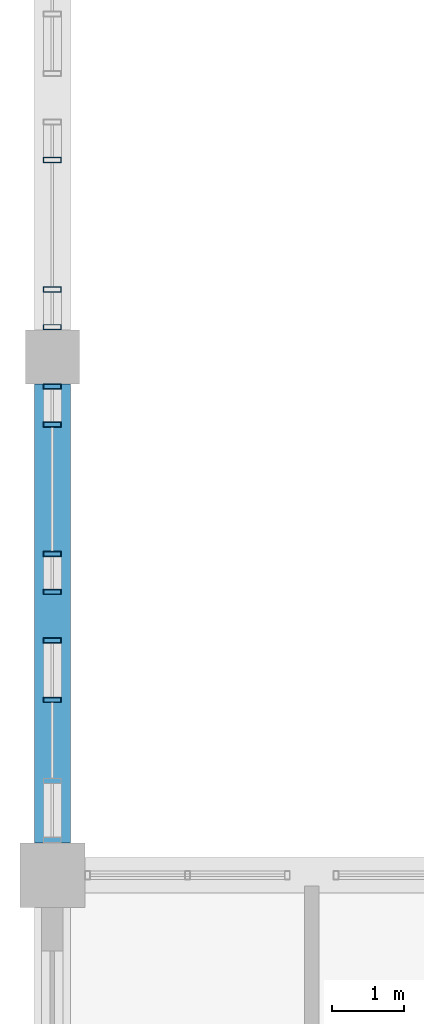
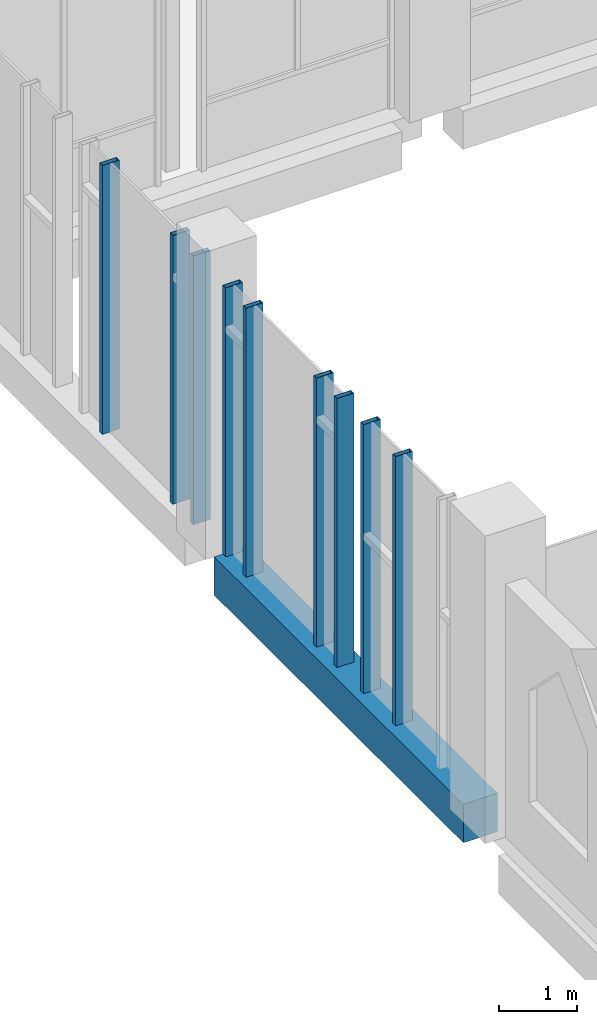
# One storey, part 4 of 30: 9 members, 1 beam, 3 elements without a shape of their own.
"""IFC4 building model written with IfcOpenShell, lengths in metres."""

import ifcopenshell
import ifcopenshell.guid

model = None  # the IFC model being written
_history = None  # IfcOwnerHistory: only IFC2X3 demands one
_inside = {}  # id of a spatial element -> (the spatial element, [elements in it])
_under = {}  # id of a project, library or spatial element -> (it, [spatial elements below it])
_declared = {}  # id of a project -> (the project, [libraries it declares])
_typed = {}  # id of a type object -> (the type object, [elements of that type])
_made_of = {}  # id of a material, layer set ... -> (it, [elements and type objects made of it])


def new_model(schema):
    """Start an empty IFC model of exactly this schema.

    Asked for "IFC4X3", IfcOpenShell would pick the latest addendum, in which some entities
    have other attributes; the version numbers below select the first issue.
    IFC2X3 requires an IfcOwnerHistory on every rooted entity: one is made here for all.
    """
    global model, _history
    if schema == "IFC4X3":
        model = ifcopenshell.file(schema_version=(4, 3, 0, 0))
    else:
        model = ifcopenshell.file(schema=schema)
    _inside.clear()
    _under.clear()
    _declared.clear()
    _typed.clear()
    _made_of.clear()
    _history = None
    if model.schema == "IFC2X3":
        org = make("IfcOrganization", Name="unknown")
        user = make(
            "IfcPersonAndOrganization",
            ThePerson=make("IfcPerson", FamilyName="unknown"),
            TheOrganization=org,
        )
        app = make(
            "IfcApplication",
            ApplicationDeveloper=org,
            Version="unknown",
            ApplicationFullName="unknown",
            ApplicationIdentifier="unknown",
        )
        _history = make(
            "IfcOwnerHistory",
            OwningUser=user,
            OwningApplication=app,
            ChangeAction="ADDED",
            CreationDate=0,
        )
    return model


def make(cls, **values):
    """One entity of the class cls with the attributes given. An attribute that is None is left unset."""
    return model.create_entity(
        cls, **{name: value for name, value in values.items() if value is not None}
    )


def rooted(cls, **values):
    """An entity with a GlobalId (a new one), such as an element, a storey or a relation."""
    return make(cls, GlobalId=ifcopenshell.guid.new(), OwnerHistory=_history, **values)


def si_unit(unit_type, name, prefix=None):
    """IfcSIUnit, for example si_unit("LENGTHUNIT", "METRE", prefix="MILLI")."""
    return make("IfcSIUnit", UnitType=unit_type, Prefix=prefix, Name=name)


def assignment(units):
    """IfcUnitAssignment: the units of a project."""
    return None if units is None else make("IfcUnitAssignment", Units=units)


def point(xyz):
    """IfcCartesianPoint."""
    return None if xyz is None else make("IfcCartesianPoint", Coordinates=xyz)


def direction(xyz):
    """IfcDirection."""
    return None if xyz is None else make("IfcDirection", DirectionRatios=xyz)


def frame(location, z_axis=None, x_axis=None):
    """IfcAxis2Placement3D, a coordinate frame: its origin and axes. An axis left out is left unset."""
    return make(
        "IfcAxis2Placement3D",
        Location=point(location),
        Axis=direction(z_axis),
        RefDirection=direction(x_axis),
    )


def frame_2d(location, x_axis=None):
    """IfcAxis2Placement2D, a coordinate frame in the plane: its origin and x axis."""
    return make(
        "IfcAxis2Placement2D", Location=point(location), RefDirection=direction(x_axis)
    )


def origin():
    """The frame at (0, 0, 0) with its axes left unset."""
    return frame((0.0, 0.0, 0.0))


def origin_2d():
    """The frame at (0, 0) in the plane with its x axis left unset."""
    return frame_2d((0.0, 0.0))


def place(relative_to, where):
    """IfcLocalPlacement: puts the frame where relative to a parent placement (None: the world)."""
    return make(
        "IfcLocalPlacement", PlacementRelTo=relative_to, RelativePlacement=where
    )


def context(
    kind, dimensions, precision=None, world=None, true_north=None, identifier=None
):
    """IfcGeometricRepresentationContext, for example the 3D "Model" context."""
    return make(
        "IfcGeometricRepresentationContext",
        ContextIdentifier=identifier,
        ContextType=kind,
        CoordinateSpaceDimension=dimensions,
        Precision=precision,
        WorldCoordinateSystem=world,
        TrueNorth=true_north,
    )


def subcontext(parent, identifier, kind, view, scale=None):
    """IfcGeometricRepresentationSubContext, for example "Body" below "Model"."""
    return make(
        "IfcGeometricRepresentationSubContext",
        ContextIdentifier=identifier,
        ContextType=kind,
        ParentContext=parent,
        TargetScale=scale,
        TargetView=view,
    )


def project(units=None, contexts=None):
    """IfcProject with its units and contexts."""
    return rooted(
        "IfcProject",
        Name="project",
        RepresentationContexts=contexts,
        UnitsInContext=assignment(units),
    )


def spatial(cls, under=None, at=None, **own):
    """A site, building, storey or space (cls), placed at a placement, below another one or the project."""
    s = rooted(cls, ObjectPlacement=at, **own)
    if under is not None:
        _under.setdefault(under.id(), (under, []))[1].append(s)
    return s


def profile(cls, at=None, kind="AREA", **sizes):
    """A parametric profile (cls). Its sizes go by their IFC names, for example OverallWidth=200.0."""
    return make(cls, ProfileType=kind, Position=at, **sizes)


def rectangle(**sizes):
    """IfcRectangleProfileDef."""
    return profile("IfcRectangleProfileDef", **sizes)


def hollow_rectangle(**sizes):
    """IfcRectangleHollowProfileDef."""
    return profile("IfcRectangleHollowProfileDef", **sizes)


def extrude(swept, where, along, depth):
    """IfcExtrudedAreaSolid: the profile swept, set in the frame where, extruded along a direction by depth."""
    return make(
        "IfcExtrudedAreaSolid",
        SweptArea=swept,
        Position=where,
        ExtrudedDirection=direction(along),
        Depth=depth,
    )


def shape(context_of_items, identifier, shape_type, items):
    """IfcShapeRepresentation: the items that make up one representation, for example the "Body"."""
    return make(
        "IfcShapeRepresentation",
        ContextOfItems=context_of_items,
        RepresentationIdentifier=identifier,
        RepresentationType=shape_type,
        Items=items,
    )


def material(Name=None, Category=None):
    """IfcMaterial."""
    return make("IfcMaterial", Name=Name, Category=Category)


def material_profile(
    of_material, cross_section, Name=None, Category=None, Priority=None
):
    """IfcMaterialProfile: a cross section and its material."""
    return make(
        "IfcMaterialProfile",
        Name=Name,
        Material=of_material,
        Profile=cross_section,
        Priority=Priority,
        Category=Category,
    )


def profile_set(profiles, Name=None, composite=None):
    """IfcMaterialProfileSet."""
    return make(
        "IfcMaterialProfileSet",
        Name=Name,
        MaterialProfiles=profiles,
        CompositeProfile=composite,
    )


def made_of(thing, what):
    """Note that an element or type object is made of a material, layer set ...; save() writes the relation."""
    if what is not None:
        _made_of.setdefault(what.id(), (what, []))[1].append(thing)
    return thing


def type_object(cls, material=None, **own):
    """A type object (cls), such as IfcWallType, which elements share."""
    return made_of(rooted(cls, **own), material)


def element(
    cls,
    number,
    at=None,
    inside=None,
    cuts=None,
    type_object=None,
    material=None,
    context=None,
    identifier="Body",
    shape_type=None,
    held_by="IfcProductDefinitionShape",
    body=None,
    shapes=None,
    **own,
):
    """One element of the class cls, such as IfcWall. Its Tag is "e" and its number.

    at: its placement. inside: the storey or other place that contains it. cuts: it is an
    opening in that element (IfcRelVoidsElement). A single representation is given by context,
    identifier, shape_type and body (its items); several are given by shapes. held_by: the class
    of the entity that holds the representations. save() writes the other relations.
    """
    e = rooted(cls, Tag="e%d" % number, ObjectPlacement=at, **own)
    if body is not None:
        shapes = [shape(context, identifier, shape_type, body)]
    if shapes is not None:
        e.Representation = make(held_by, Representations=shapes)
    if inside is not None:
        _inside.setdefault(inside.id(), (inside, []))[1].append(e)
    if cuts is not None:
        rooted(
            "IfcRelVoidsElement", RelatingBuildingElement=cuts, RelatedOpeningElement=e
        )
    if type_object is not None:
        _typed.setdefault(type_object.id(), (type_object, []))[1].append(e)
    return made_of(e, material)


def aggregate(whole, parts):
    """IfcRelAggregates: a whole, such as a stair, and the parts it consists of."""
    return rooted("IfcRelAggregates", RelatingObject=whole, RelatedObjects=parts)


def save(model, path):
    """Write the relations noted so far, then the file.

    IfcRelAggregates (storeys below a building ...), IfcRelContainedInSpatialStructure (elements
    in a storey), IfcRelDefinesByType, IfcRelAssociatesMaterial and IfcRelDeclares: one each for
    every whole, place, type object, material and project.
    """
    for whole, parts in _under.values():
        aggregate(whole, parts)
    for where, things in _inside.values():
        rooted(
            "IfcRelContainedInSpatialStructure",
            RelatedElements=things,
            RelatingStructure=where,
        )
    for kind, things in _typed.values():
        rooted("IfcRelDefinesByType", RelatedObjects=things, RelatingType=kind)
    for what, things in _made_of.values():
        rooted("IfcRelAssociatesMaterial", RelatedObjects=things, RelatingMaterial=what)
    for by, libraries in _declared.values():
        rooted("IfcRelDeclares", RelatingContext=by, RelatedDefinitions=libraries)
    model.write(path)


model = new_model("IFC4")

# Units and contexts
model_context = context("Model", 3, precision=1e-05, world=origin(), true_north=direction((0.0, 1.0)))
body_context = subcontext(model_context, "Body", "Model", "MODEL_VIEW")
ifc_project = project(units=[si_unit("LENGTHUNIT", "METRE"), si_unit("AREAUNIT", "SQUARE_METRE"), si_unit("VOLUMEUNIT", "CUBIC_METRE"), si_unit("PLANEANGLEUNIT", "RADIAN"), si_unit("MASSUNIT", "GRAM", prefix="KILO")], contexts=[model_context])

# Site, building, storey
site_placement = place(None, origin())
site = spatial("IfcSite", under=ifc_project, at=site_placement, CompositionType="ELEMENT")
building_placement = place(site_placement, origin())
building = spatial("IfcBuilding", under=site, at=building_placement, Name="Silangan Lancet Faculty of Sciences", CompositionType="ELEMENT")
storey_placement = place(building_placement, frame((0.0, 0.0, 31.199951171875)))
storey = spatial("IfcBuildingStorey", under=building, at=storey_placement, Name="L06", CompositionType="ELEMENT", Elevation=31.199951171875)

# Beam
ifc_material_1 = material(Name="Concrete C40/50", Category="concrete")
ifc_material_profile_1 = material_profile(ifc_material_1, rectangle(XDim=0.5, YDim=0.60009765625, at=origin_2d()), Name="RC 500x600")
ifc_profile_set_1 = profile_set([ifc_material_profile_1], Name="Concrete C40/50")
beam_type = type_object("IfcBeamType", Name="BEAM RC 500x600", PredefinedType="BEAM", material=ifc_profile_set_1)
beam_placement = place(storey_placement, frame((0.0, 22.050048828125, -0.300048828125), z_axis=(0.0, 1.0, 0.0), x_axis=(-1.0, 0.0, 0.0)))
element("IfcBeam", 1, at=beam_placement, inside=storey, type_object=beam_type, Name="BM-L06-1D-1E", PredefinedType="BEAM", context=body_context, shape_type="SweptSolid", body=[
    extrude(rectangle(XDim=0.5, YDim=0.60009765625, at=origin_2d()), origin(), (0.0, 0.0, 1.0), 6.375),
])

# Curtain wall, members
ifc_material_2 = material(Name="Aluminium framed curtain wall with insulated glass", Category="aluminium")
curtain_wall_type_1 = type_object("IfcCurtainWallType", Name="CW3 West stepped lancet window", PredefinedType="NOTDEFINED", material=ifc_material_2)
curtain_wall_1_placement = place(storey_placement, origin())
curtain_wall_1 = element("IfcCurtainWall", 2, at=curtain_wall_1_placement, inside=storey, type_object=curtain_wall_type_1, Name="CW3 West window L06 bay 1", PredefinedType="NOTDEFINED")
ifc_material_3 = material(Name="Aluminium 6063-T6 extrusion", Category="aluminium")
ifc_material_profile_2 = material_profile(ifc_material_3, hollow_rectangle(XDim=0.074951171875, YDim=0.25, WallThickness=0.006103515625, at=origin_2d()), Name="AL BOX 75x250x6")
ifc_profile_set_2 = profile_set([ifc_material_profile_2], Name="Aluminium 6063-T6 extrusion")
member_type = type_object("IfcMemberType", Name="CM3 Mullion 75x250", PredefinedType="MULLION", material=ifc_profile_set_2)
member_1_placement = place(storey_placement, frame((0.0, 24.862548828125, 0.0), z_axis=(0.0, 0.0, 1.0), x_axis=(0.0, 1.0, 0.0)))
member_1 = element("IfcMember", 3, at=member_1_placement, type_object=member_type, Name="CW3 West window L06 bay 1 mullion 2", PredefinedType="MULLION", context=body_context, shape_type="SweptSolid", body=[
    extrude(hollow_rectangle(XDim=0.074951171875, YDim=0.25, WallThickness=0.006103515625, at=origin_2d()), origin(), (0.0, 0.0, 1.0), 4.199951171875),
])
member_2_placement = place(storey_placement, frame((0.0, 24.03759765625, 0.0), z_axis=(0.0, 0.0, 1.0), x_axis=(0.0, 1.0, 0.0)))
member_2 = element("IfcMember", 4, at=member_2_placement, type_object=member_type, Name="CW3 West window L06 bay 1 mullion 4", PredefinedType="MULLION", context=body_context, shape_type="SweptSolid", body=[
    extrude(hollow_rectangle(XDim=0.074951171875, YDim=0.25, WallThickness=0.006103515625, at=origin_2d()), origin(), (0.0, 0.0, 1.0), 4.199951171875),
])
aggregate(curtain_wall_1, [member_1, member_2])

ifc_material_4 = material(Name="Aluminium framed curtain wall with insulated glass", Category="aluminium")
curtain_wall_type_2 = type_object("IfcCurtainWallType", Name="CW6 West window middle bays", PredefinedType="NOTDEFINED", material=ifc_material_4)
curtain_wall_2_placement = place(storey_placement, origin())
curtain_wall_2 = element("IfcCurtainWall", 5, at=curtain_wall_2_placement, inside=storey, type_object=curtain_wall_type_2, Name="CW6 West window L06 bay 2", PredefinedType="NOTDEFINED")
member_3_placement = place(storey_placement, frame((0.0, 25.53759765625, 0.0), z_axis=(0.0, 0.0, 1.0), x_axis=(0.0, 1.0, 0.0)))
member_3 = element("IfcMember", 6, at=member_3_placement, type_object=member_type, Name="CW6 West window L06 bay 2 mullion 1", PredefinedType="MULLION", context=body_context, shape_type="SweptSolid", body=[
    extrude(hollow_rectangle(XDim=0.074951171875, YDim=0.25, WallThickness=0.006103515625, at=origin_2d()), origin(), (0.0, 0.0, 1.0), 4.199951171875),
])
member_4_placement = place(storey_placement, frame((0.0, 28.387451171875, 0.0), z_axis=(0.0, 0.0, 1.0), x_axis=(0.0, 1.0, 0.0)))
member_4 = element("IfcMember", 7, at=member_4_placement, type_object=member_type, Name="CW6 West window L06 bay 2 mullion 2", PredefinedType="MULLION", context=body_context, shape_type="SweptSolid", body=[
    extrude(hollow_rectangle(XDim=0.074951171875, YDim=0.25, WallThickness=0.006103515625, at=origin_2d()), origin(), (0.0, 0.0, 1.0), 4.199951171875),
])
member_5_placement = place(storey_placement, frame((0.0, 26.0625, 0.0), z_axis=(0.0, 0.0, 1.0), x_axis=(0.0, 1.0, 0.0)))
member_5 = element("IfcMember", 8, at=member_5_placement, type_object=member_type, Name="CW6 West window L06 bay 2 mullion 3", PredefinedType="MULLION", context=body_context, shape_type="SweptSolid", body=[
    extrude(hollow_rectangle(XDim=0.074951171875, YDim=0.25, WallThickness=0.006103515625, at=origin_2d()), origin(), (0.0, 0.0, 1.0), 4.199951171875),
])
member_6_placement = place(storey_placement, frame((0.0, 27.862548828125, 0.0), z_axis=(0.0, 0.0, 1.0), x_axis=(0.0, 1.0, 0.0)))
member_6 = element("IfcMember", 9, at=member_6_placement, type_object=member_type, Name="CW6 West window L06 bay 2 mullion 4", PredefinedType="MULLION", context=body_context, shape_type="SweptSolid", body=[
    extrude(hollow_rectangle(XDim=0.074951171875, YDim=0.25, WallThickness=0.006103515625, at=origin_2d()), origin(), (0.0, 0.0, 1.0), 4.199951171875),
])
aggregate(curtain_wall_2, [member_3, member_4, member_5, member_6])

curtain_wall_3_placement = place(storey_placement, origin())
curtain_wall_3 = element("IfcCurtainWall", 10, at=curtain_wall_3_placement, inside=storey, type_object=curtain_wall_type_2, Name="CW6 West window L06 bay 3", PredefinedType="NOTDEFINED")
member_7_placement = place(storey_placement, frame((0.0, 29.21240234375, 0.0), z_axis=(0.0, 0.0, 1.0), x_axis=(0.0, 1.0, 0.0)))
member_7 = element("IfcMember", 11, at=member_7_placement, type_object=member_type, Name="CW6 West window L06 bay 3 mullion 1", PredefinedType="MULLION", context=body_context, shape_type="SweptSolid", body=[
    extrude(hollow_rectangle(XDim=0.074951171875, YDim=0.25, WallThickness=0.006103515625, at=origin_2d()), origin(), (0.0, 0.0, 1.0), 4.199951171875),
])
member_8_placement = place(storey_placement, frame((0.0, 29.737548828125, 0.0), z_axis=(0.0, 0.0, 1.0), x_axis=(0.0, 1.0, 0.0)))
member_8 = element("IfcMember", 12, at=member_8_placement, type_object=member_type, Name="CW6 West window L06 bay 3 mullion 3", PredefinedType="MULLION", context=body_context, shape_type="SweptSolid", body=[
    extrude(hollow_rectangle(XDim=0.074951171875, YDim=0.25, WallThickness=0.006103515625, at=origin_2d()), origin(), (0.0, 0.0, 1.0), 4.199951171875),
])
member_9_placement = place(storey_placement, frame((0.0, 31.537353515625, 0.0), z_axis=(0.0, 0.0, 1.0), x_axis=(0.0, 1.0, 0.0)))
member_9 = element("IfcMember", 13, at=member_9_placement, type_object=member_type, Name="CW6 West window L06 bay 3 mullion 4", PredefinedType="MULLION", context=body_context, shape_type="SweptSolid", body=[
    extrude(hollow_rectangle(XDim=0.074951171875, YDim=0.25, WallThickness=0.006103515625, at=origin_2d()), origin(), (0.0, 0.0, 1.0), 4.199951171875),
])
aggregate(curtain_wall_3, [member_7, member_8, member_9])

save(model, "model.ifc")
